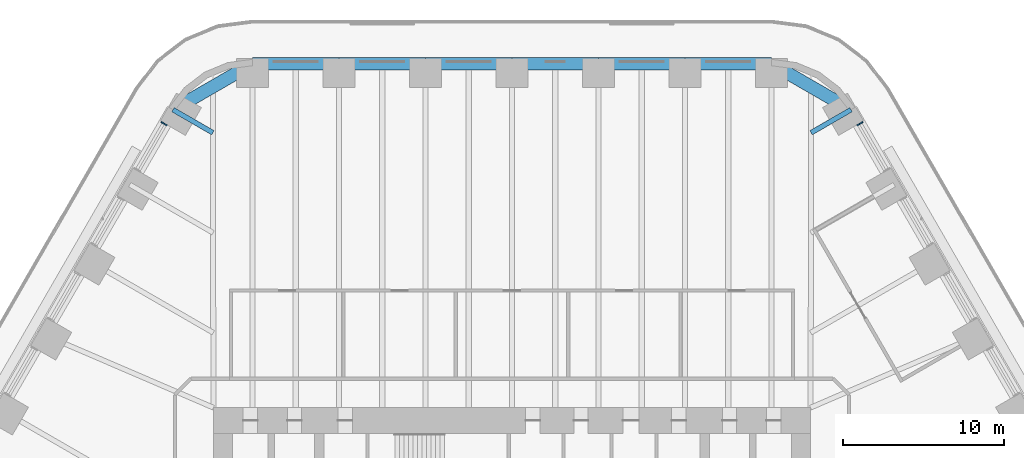
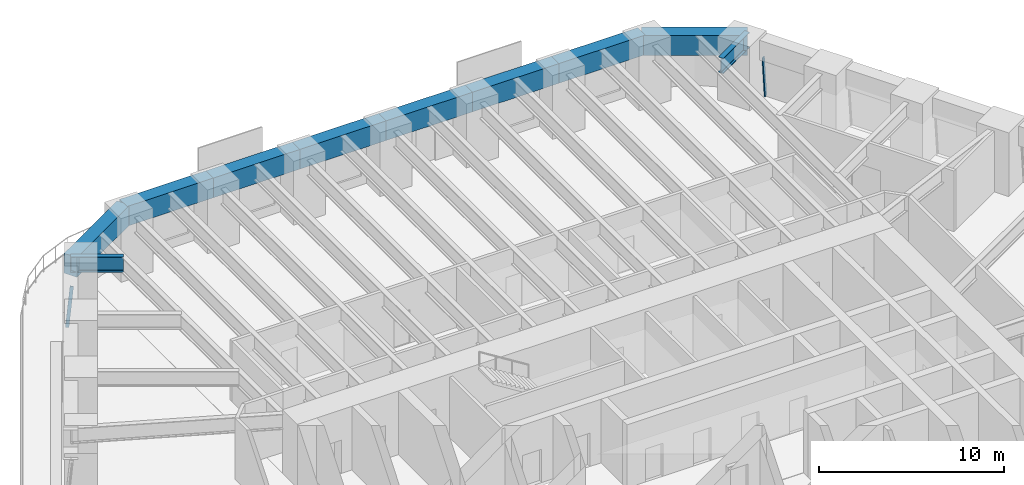
# One storey, part 14 of 23: 10 beams, 2 members, 2 elements without a shape of their own.
"""IFC4 building model written with IfcOpenShell, lengths in metres."""

from ifc_helpers import new_model, si_unit, direction, frame, origin, origin_2d, place, context, subcontext, project, spatial, rectangle, i_section, extrude, material, material_profile, profile_set, type_object, element, aggregate, save


model = new_model("IFC4")

# Units and contexts
model_context = context("Model", 3, precision=1e-05, world=origin(), true_north=direction((0.0, 1.0)))
body_context = subcontext(model_context, "Body", "Model", "MODEL_VIEW")
ifc_project = project(units=[si_unit("LENGTHUNIT", "METRE"), si_unit("AREAUNIT", "SQUARE_METRE"), si_unit("VOLUMEUNIT", "CUBIC_METRE"), si_unit("PLANEANGLEUNIT", "RADIAN"), si_unit("MASSUNIT", "GRAM", prefix="KILO")], contexts=[model_context])

# Site, building, storey
site_placement = place(None, origin())
site = spatial("IfcSite", under=ifc_project, at=site_placement, CompositionType="ELEMENT")
building_placement = place(site_placement, origin())
building = spatial("IfcBuilding", under=site, at=building_placement, Name="Tarfa Lantern Tower", CompositionType="ELEMENT")
storey_placement = place(building_placement, frame((0.0, 0.0, 52.89990234375)))
storey = spatial("IfcBuildingStorey", under=building, at=storey_placement, Name="L11", CompositionType="ELEMENT", Elevation=52.89990234375)

# Curtain wall, member
ifc_material_1 = material(Name="Aluminium framed curtain wall", Category="aluminium")
curtain_wall_type = type_object("IfcCurtainWallType", Name="CW1 CANTED GLAZING LOW ZONE 2700", PredefinedType="USERDEFINED", material=ifc_material_1)
curtain_wall_1_placement = place(storey_placement, origin())
curtain_wall_1 = element("IfcCurtainWall", 1, at=curtain_wall_1_placement, inside=storey, type_object=curtain_wall_type, Name="CW1 NE L11", ObjectType="CURTAIN WALL", PredefinedType="USERDEFINED")
ifc_material_2 = material(Name="Aluminium mullion", Category="aluminium")
ifc_material_profile_1 = material_profile(ifc_material_2, rectangle(XDim=0.06494140625, YDim=0.199951171875, at=origin_2d()), Name="AL MULLION 65x200")
ifc_profile_set_1 = profile_set([ifc_material_profile_1], Name="Aluminium mullion")
member_type = type_object("IfcMemberType", Name="CWM1 MULLION 65x200", PredefinedType="MULLION", material=ifc_profile_set_1)
member_1_placement = place(storey_placement, frame((21.79150390625, 30.055908203125, 0.0), z_axis=(-0.079767804165, -0.046096067418, 0.995747081335), x_axis=(0.500342721131, -0.865827443207, 0.0)))
member_1 = element("IfcMember", 2, at=member_1_placement, type_object=member_type, Name="CW1 mullion 2", PredefinedType="MULLION", context=body_context, shape_type="SweptSolid", body=[
    extrude(rectangle(XDim=0.06494140625, YDim=0.199951171875, at=origin_2d()), origin(), (0.0, 0.0, 1.0), 2.711669921875),
])
aggregate(curtain_wall_1, [member_1])

curtain_wall_2_placement = place(storey_placement, origin())
curtain_wall_2 = element("IfcCurtainWall", 3, at=curtain_wall_2_placement, inside=storey, type_object=curtain_wall_type, Name="CW1 NW L11", ObjectType="CURTAIN WALL", PredefinedType="USERDEFINED")
member_2_placement = place(storey_placement, frame((-21.79150390625, 30.055908203125, 0.0), z_axis=(0.079767804165, -0.046096067418, 0.995747081335), x_axis=(0.500342721131, 0.865827443207, 0.0)))
member_2 = element("IfcMember", 4, at=member_2_placement, type_object=member_type, Name="CW1 mullion 1", PredefinedType="MULLION", context=body_context, shape_type="SweptSolid", body=[
    extrude(rectangle(XDim=0.06494140625, YDim=0.199951171875, at=origin_2d()), origin(), (0.0, 0.0, 1.0), 2.711669921875),
])
aggregate(curtain_wall_2, [member_2])

# Beams
ifc_material_3 = material(Name="Concrete C80/95", Category="concrete")
ifc_material_profile_2 = material_profile(ifc_material_3, rectangle(XDim=0.800048828125, YDim=1.300048828125, at=origin_2d()), Name="RC 800x1300")
ifc_profile_set_2 = profile_set([ifc_material_profile_2], Name="Concrete C80/95")
beam_type_1 = type_object("IfcBeamType", Name="EB1 RC 800x1300", PredefinedType="SPANDREL", material=ifc_profile_set_2)
beam_1_placement = place(storey_placement, frame((21.119384765625, 30.860107421875, 3.35009765625), z_axis=(-0.866033479681, 0.499986011877, 0.0), x_axis=(-0.499986011877, -0.866033479681, 0.0)))
element("IfcBeam", 5, at=beam_1_placement, inside=storey, type_object=beam_type_1, Name="Edge beam NE6", PredefinedType="SPANDREL", context=body_context, shape_type="SweptSolid", body=[
    extrude(rectangle(XDim=0.800048828125, YDim=1.300048828125, at=origin_2d()), origin(), (0.0, 0.0, 1.0), 5.719970703125),
])
beam_2_placement = place(storey_placement, frame((16.165771484375, 33.719970703125, 3.35009765625), z_axis=(-1.0, 0.0, 0.0), x_axis=(0.0, -1.0, 0.0)))
element("IfcBeam", 6, at=beam_2_placement, inside=storey, type_object=beam_type_1, Name="Edge beam N0", PredefinedType="SPANDREL", context=body_context, shape_type="SweptSolid", body=[
    extrude(rectangle(XDim=0.800048828125, YDim=1.300048828125, at=origin_2d()), origin(), (0.0, 0.0, 1.0), 5.388671875),
])
beam_3_placement = place(storey_placement, frame((10.777099609375, 33.719970703125, 3.35009765625), z_axis=(-1.0, 0.0, 0.0), x_axis=(0.0, -1.0, 0.0)))
element("IfcBeam", 7, at=beam_3_placement, inside=storey, type_object=beam_type_1, Name="Edge beam N1", PredefinedType="SPANDREL", context=body_context, shape_type="SweptSolid", body=[
    extrude(rectangle(XDim=0.800048828125, YDim=1.300048828125, at=origin_2d()), origin(), (0.0, 0.0, 1.0), 5.388427734375),
])
for number, where, z_axis, x_axis, name in (
    (8, (5.388671875, 33.719970703125, 3.35009765625), (-1.0, 0.0, 0.0), (0.0, -1.0, 0.0), "Edge beam N2"),
    (9, (0.0, 33.719970703125, 3.35009765625), (-1.0, 0.0, 0.0), (0.0, -1.0, 0.0), "Edge beam N3"),
):
    element("IfcBeam", number, at=place(storey_placement, frame(where, z_axis=z_axis, x_axis=x_axis)), inside=storey, type_object=beam_type_1, Name=name, PredefinedType="SPANDREL", context=body_context, shape_type="SweptSolid", body=[
        extrude(rectangle(XDim=0.800048828125, YDim=1.300048828125, at=origin_2d()), origin(), (0.0, 0.0, 1.0), 5.388671875),
    ])
beam_4_placement = place(storey_placement, frame((-5.388671875, 33.719970703125, 3.35009765625), z_axis=(-1.0, 0.0, 0.0), x_axis=(0.0, -1.0, 0.0)))
element("IfcBeam", 10, at=beam_4_placement, inside=storey, type_object=beam_type_1, Name="Edge beam N4", PredefinedType="SPANDREL", context=body_context, shape_type="SweptSolid", body=[
    extrude(rectangle(XDim=0.800048828125, YDim=1.300048828125, at=origin_2d()), origin(), (0.0, 0.0, 1.0), 5.388427734375),
])
beam_5_placement = place(storey_placement, frame((-10.777099609375, 33.719970703125, 3.35009765625), z_axis=(-1.0, 0.0, 0.0), x_axis=(0.0, -1.0, 0.0)))
element("IfcBeam", 11, at=beam_5_placement, inside=storey, type_object=beam_type_1, Name="Edge beam N5", PredefinedType="SPANDREL", context=body_context, shape_type="SweptSolid", body=[
    extrude(rectangle(XDim=0.800048828125, YDim=1.300048828125, at=origin_2d()), origin(), (0.0, 0.0, 1.0), 5.388671875),
])
beam_6_placement = place(storey_placement, frame((-16.165771484375, 33.719970703125, 3.35009765625), z_axis=(-0.866033479681, -0.499986011877, 0.0), x_axis=(0.499986011877, -0.866033479681, 0.0)))
element("IfcBeam", 12, at=beam_6_placement, inside=storey, type_object=beam_type_1, Name="Edge beam N6", PredefinedType="SPANDREL", context=body_context, shape_type="SweptSolid", body=[
    extrude(rectangle(XDim=0.800048828125, YDim=1.300048828125, at=origin_2d()), origin(), (0.0, 0.0, 1.0), 5.719970703125),
])
ifc_material_4 = material(Name="Steel S460M", Category="steel")
ifc_material_profile_3 = material_profile(ifc_material_4, i_section(OverallWidth=0.302001953125, OverallDepth=1.008056640625, WebThickness=0.02099609375, FlangeThickness=0.0400390625, FilletRadius=0.030029296875, at=origin_2d()), Name="UB1016x305x349")
ifc_profile_set_3 = profile_set([ifc_material_profile_3], Name="Steel S460M")
beam_type_2 = type_object("IfcBeamType", Name="UB1016x305x349", PredefinedType="BEAM", material=ifc_profile_set_3)
for number, where, z_axis, x_axis, name in (
    (13, (21.119384765625, 30.860107421875, 3.49609375), (-0.866012580594, -0.500022209759, 0.0), (0.500022209759, -0.866012580594, 0.0), "Floor beam NE6"),
    (14, (-21.119384765625, 30.860107421875, 3.49609375), (0.866012580594, -0.500022209759, 0.0), (0.500022209759, 0.866012580594, 0.0), "Floor beam NW0"),
):
    element("IfcBeam", number, at=place(storey_placement, frame(where, z_axis=z_axis, x_axis=x_axis)), inside=storey, type_object=beam_type_2, Name=name, PredefinedType="BEAM", context=body_context, shape_type="SweptSolid", body=[
        extrude(i_section(OverallWidth=0.302001953125, OverallDepth=1.008056640625, WebThickness=0.02099609375, FlangeThickness=0.0400390625, FilletRadius=0.030029296875, at=origin_2d()), origin(), (0.0, 0.0, 1.0), 2.866943359375),
    ])

save(model, "model.ifc")
